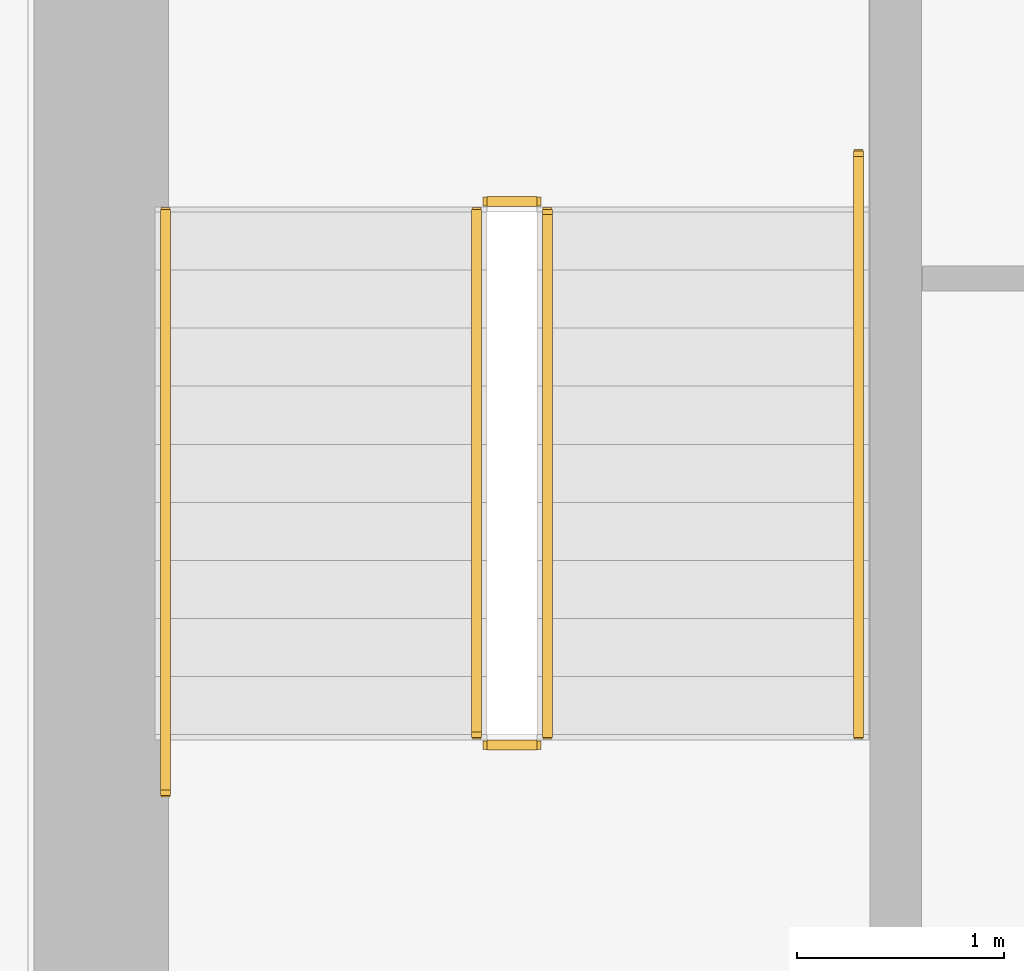
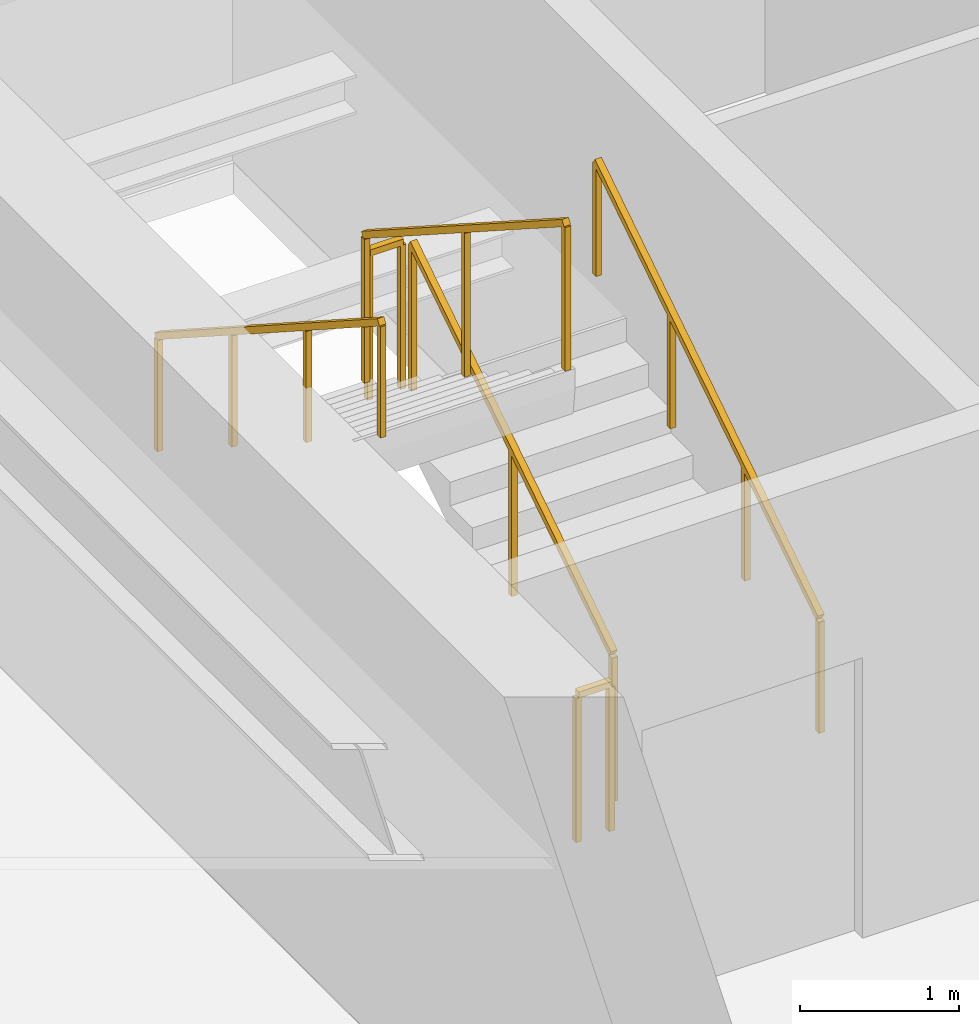
# One storey, part 34 of 37: 6 railings.
"""IFC4 building model written with IfcOpenShell, lengths in metres."""

from ifc_helpers import new_model, si_unit, direction, frame, origin, origin_2d, place, context, subcontext, project, spatial, rectangle, extrude, material, type_object, element, save


model = new_model("IFC4")

# Units and contexts
model_context = context("Model", 3, precision=1e-05, world=origin(), true_north=direction((0.0, 1.0)))
body_context = subcontext(model_context, "Body", "Model", "MODEL_VIEW")
ifc_project = project(units=[si_unit("LENGTHUNIT", "METRE"), si_unit("AREAUNIT", "SQUARE_METRE"), si_unit("VOLUMEUNIT", "CUBIC_METRE"), si_unit("PLANEANGLEUNIT", "RADIAN"), si_unit("MASSUNIT", "GRAM", prefix="KILO")], contexts=[model_context])

# Site, building, storey
site_placement = place(None, origin())
site = spatial("IfcSite", under=ifc_project, at=site_placement, CompositionType="ELEMENT")
building_placement = place(site_placement, origin())
building = spatial("IfcBuilding", under=site, at=building_placement, Name="Sumidabori Civic Tower", CompositionType="ELEMENT")
storey_placement = place(building_placement, frame((0.0, 0.0, 95.60009765625)))
storey = spatial("IfcBuildingStorey", under=building, at=storey_placement, Name="L24", CompositionType="ELEMENT", Elevation=95.60009765625)

# Railings
ifc_material_1 = material(Name="Stainless Steel Hairline Finish", Category="steel")
railing_type_1 = type_object("IfcRailingType", Name="RL-HANDRAIL", PredefinedType="HANDRAIL", material=ifc_material_1)
railing_1_placement = place(storey_placement, frame((-11.949951171875, 16.0, 0.179931640625)))
element("IfcRailing", 1, at=railing_1_placement, inside=storey, type_object=railing_type_1, Name="L24 ST-1 stair handrail 1", PredefinedType="HANDRAIL", context=body_context, shape_type="SweptSolid", body=[
    extrude(rectangle(XDim=0.048095703125, YDim=0.048095703125, at=origin_2d()), frame((0.0, 0.0, 0.8759765625), z_axis=(0.0, 0.840675598268, 0.541539046124), x_axis=(-1.0, 0.0, 0.0)), (0.0, 0.0, 1.0), 3.330810546875),
    extrude(rectangle(XDim=0.0419921875, YDim=0.0419921875, at=origin_2d()), origin(), (0.0, 0.0, 1.0), 0.851806640625),
    extrude(rectangle(XDim=0.0419921875, YDim=0.0419921875, at=origin_2d()), frame((0.0, 0.933349609375, 0.601318359375)), (0.0, 0.0, 1.0), 0.851806640625),
    extrude(rectangle(XDim=0.0419921875, YDim=0.0419921875, at=origin_2d()), frame((0.0, 1.86669921875, 1.202392578125)), (0.0, 0.0, 1.0), 0.851806640625),
    extrude(rectangle(XDim=0.0419921875, YDim=0.0419921875, at=origin_2d()), frame((0.0, 2.800048828125, 1.8037109375)), (0.0, 0.0, 1.0), 0.851806640625),
])
railing_2_placement = place(storey_placement, frame((-15.2900390625, 18.52001953125, 1.97998046875)))
element("IfcRailing", 2, at=railing_2_placement, inside=storey, type_object=railing_type_1, Name="L24 ST-1 stair handrail 2", PredefinedType="HANDRAIL", context=body_context, shape_type="SweptSolid", body=[
    extrude(rectangle(XDim=0.048095703125, YDim=0.048095703125, at=origin_2d()), frame((0.0, 0.0, 0.8759765625), z_axis=(0.0, -0.840675598268, 0.541539046124), x_axis=(1.0, 0.0, 0.0)), (0.0, 0.0, 1.0), 3.330810546875),
    extrude(rectangle(XDim=0.0419921875, YDim=0.0419921875, at=origin_2d()), origin(), (0.0, 0.0, 1.0), 0.851806640625),
    extrude(rectangle(XDim=0.0419921875, YDim=0.0419921875, at=origin_2d()), frame((0.0, -0.933349609375, 0.601318359375)), (0.0, 0.0, 1.0), 0.851806640625),
    extrude(rectangle(XDim=0.0419921875, YDim=0.0419921875, at=origin_2d()), frame((0.0, -1.86669921875, 1.202392578125)), (0.0, 0.0, 1.0), 0.851806640625),
    extrude(rectangle(XDim=0.0419921875, YDim=0.0419921875, at=origin_2d()), frame((0.0, -2.800048828125, 1.8037109375)), (0.0, 0.0, 1.0), 0.851806640625),
])
ifc_material_2 = material(Name="Steel SN490", Category="steel")
railing_type_2 = type_object("IfcRailingType", Name="RL-STAIR-GUARD", PredefinedType="GUARDRAIL", material=ifc_material_2)
railing_3_placement = place(storey_placement, frame((-13.449951171875, 16.0, 0.179931640625)))
element("IfcRailing", 3, at=railing_3_placement, inside=storey, type_object=railing_type_2, Name="L24 ST-1 stair guard 1", PredefinedType="GUARDRAIL", context=body_context, shape_type="SweptSolid", body=[
    extrude(rectangle(XDim=0.048095703125, YDim=0.048095703125, at=origin_2d()), frame((0.0, 0.0, 1.1259765625), z_axis=(0.0, 0.841199657755, 0.540724639528), x_axis=(-1.0, 0.0, 0.0)), (0.0, 0.0, 1.0), 2.995849609375),
    extrude(rectangle(XDim=0.0419921875, YDim=0.0419921875, at=origin_2d()), origin(), (0.0, 0.0, 1.0), 1.101806640625),
    extrude(rectangle(XDim=0.0419921875, YDim=0.0419921875, at=origin_2d()), frame((0.0, 1.260009765625, 0.81005859375)), (0.0, 0.0, 1.0), 1.101806640625),
    extrude(rectangle(XDim=0.0419921875, YDim=0.0419921875, at=origin_2d()), frame((0.0, 2.52001953125, 1.619873046875)), (0.0, 0.0, 1.0), 1.101806640625),
])
railing_4_placement = place(storey_placement, frame((-13.5, 18.570068359375, 1.7998046875)))
element("IfcRailing", 4, at=railing_4_placement, inside=storey, type_object=railing_type_2, Name="L24 ST-1 stair guard 2", PredefinedType="GUARDRAIL", context=body_context, shape_type="SweptSolid", body=[
    extrude(rectangle(XDim=0.048095703125, YDim=0.048095703125, at=origin_2d()), frame((0.0, 0.0, 1.1259765625), z_axis=(-1.0, 0.0, 0.0), x_axis=(0.0, -1.0, 0.0)), (0.0, 0.0, 1.0), 0.239990234375),
    extrude(rectangle(XDim=0.0419921875, YDim=0.0419921875, at=origin_2d()), origin(), (0.0, 0.0, 1.0), 1.101806640625),
    extrude(rectangle(XDim=0.0419921875, YDim=0.0419921875, at=origin_2d()), frame((-0.239990234375, 0.0, 0.0)), (0.0, 0.0, 1.0), 1.101806640625),
])
railing_5_placement = place(storey_placement, frame((-13.7900390625, 18.52001953125, 1.97998046875)))
element("IfcRailing", 5, at=railing_5_placement, inside=storey, type_object=railing_type_2, Name="L24 ST-1 stair guard 3", PredefinedType="GUARDRAIL", context=body_context, shape_type="SweptSolid", body=[
    extrude(rectangle(XDim=0.048095703125, YDim=0.048095703125, at=origin_2d()), frame((0.0, 0.0, 1.1259765625), z_axis=(0.0, -0.841199657755, 0.540724639528), x_axis=(1.0, 0.0, 0.0)), (0.0, 0.0, 1.0), 2.995849609375),
    extrude(rectangle(XDim=0.0419921875, YDim=0.0419921875, at=origin_2d()), origin(), (0.0, 0.0, 1.0), 1.101806640625),
    extrude(rectangle(XDim=0.0419921875, YDim=0.0419921875, at=origin_2d()), frame((0.0, -1.260009765625, 0.81005859375)), (0.0, 0.0, 1.0), 1.101806640625),
    extrude(rectangle(XDim=0.0419921875, YDim=0.0419921875, at=origin_2d()), frame((0.0, -2.52001953125, 1.619873046875)), (0.0, 0.0, 1.0), 1.101806640625),
])
railing_6_placement = place(storey_placement, frame((-13.5, 15.949951171875, 0.0)))
element("IfcRailing", 6, at=railing_6_placement, inside=storey, type_object=railing_type_2, Name="L24 ST-1 stair guard 4", PredefinedType="GUARDRAIL", context=body_context, shape_type="SweptSolid", body=[
    extrude(rectangle(XDim=0.048095703125, YDim=0.048095703125, at=origin_2d()), frame((0.0, 0.0, 1.1259765625), z_axis=(-1.0, 0.0, 0.0), x_axis=(0.0, -1.0, 0.0)), (0.0, 0.0, 1.0), 0.239990234375),
    extrude(rectangle(XDim=0.0419921875, YDim=0.0419921875, at=origin_2d()), origin(), (0.0, 0.0, 1.0), 1.101806640625),
    extrude(rectangle(XDim=0.0419921875, YDim=0.0419921875, at=origin_2d()), frame((-0.239990234375, 0.0, 0.0)), (0.0, 0.0, 1.0), 1.101806640625),
])

save(model, "model.ifc")
